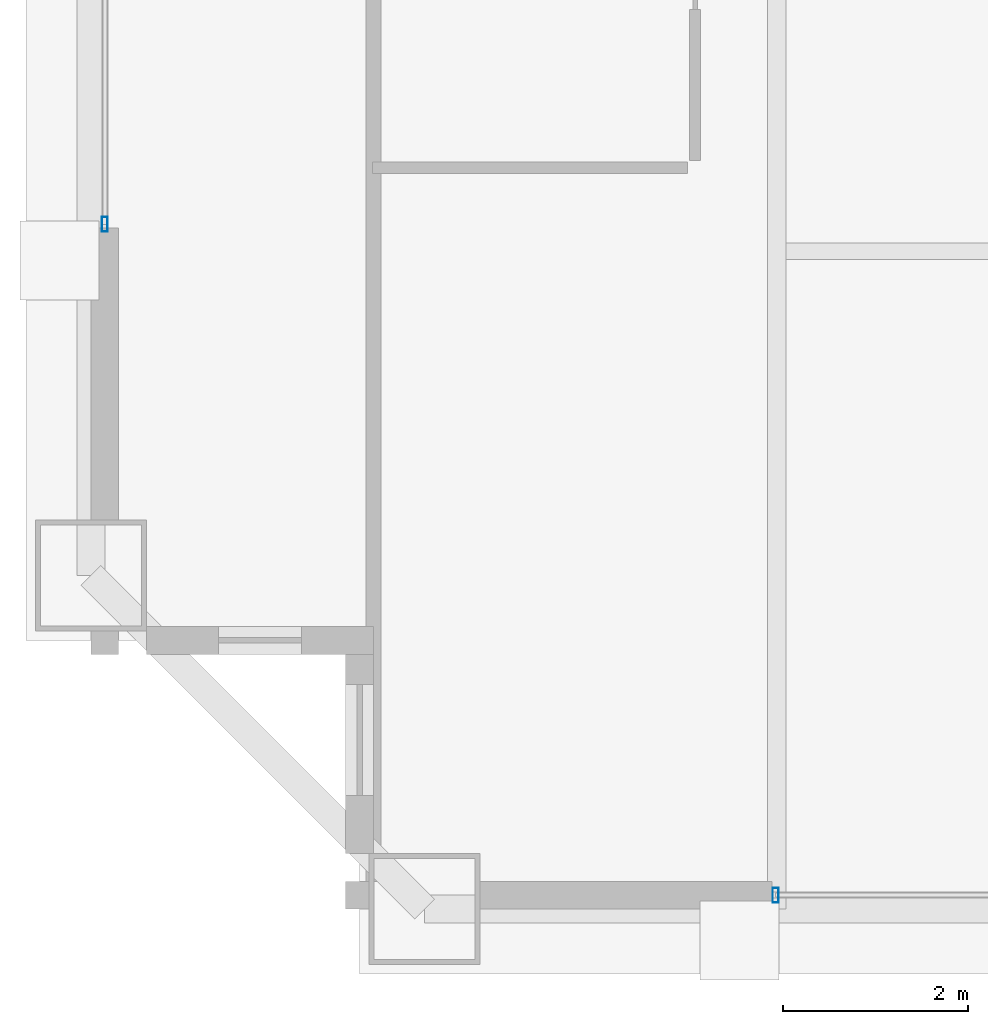
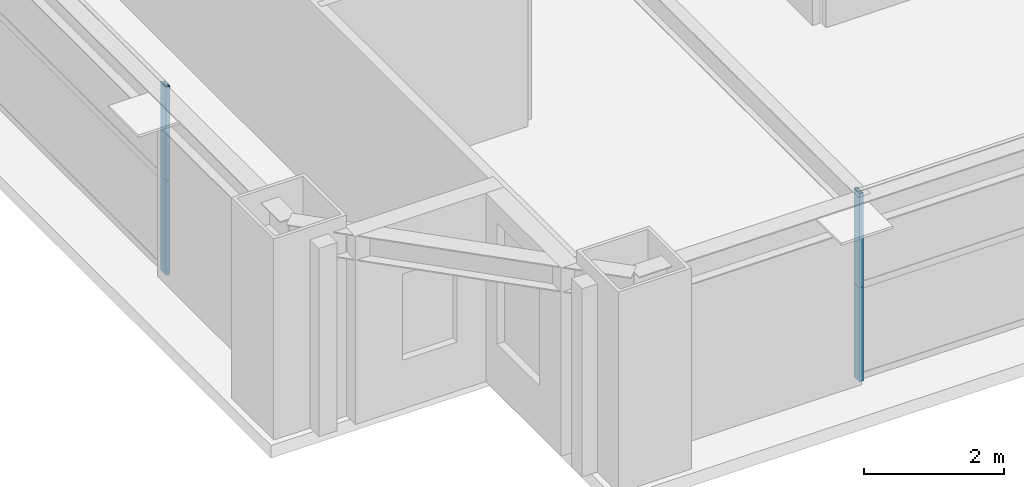
# One storey, part 3 of 36: 4 members, 2 elements without a shape of their own.
"""IFC4 building model written with IfcOpenShell, lengths in metres."""

from ifc_helpers import new_model, si_unit, direction, frame, origin, origin_2d, place, context, subcontext, project, spatial, hollow_rectangle, extrude, source, transform, mapped, material, layer, layer_set, material_profile, profile_set, type_object, element, aggregate, save


model = new_model("IFC4")

# Units and contexts
model_context = context("Model", 3, precision=1e-05, world=origin(), true_north=direction((0.0, 1.0)))
body_context = subcontext(model_context, "Body", "Model", "MODEL_VIEW")
ifc_project = project(units=[si_unit("LENGTHUNIT", "METRE"), si_unit("AREAUNIT", "SQUARE_METRE"), si_unit("VOLUMEUNIT", "CUBIC_METRE"), si_unit("PLANEANGLEUNIT", "RADIAN"), si_unit("MASSUNIT", "GRAM", prefix="KILO"), si_unit("THERMODYNAMICTEMPERATUREUNIT", "KELVIN"), si_unit("POWERUNIT", "WATT")], contexts=[model_context])

# Site, building, storey
site_placement = place(None, origin())
site = spatial("IfcSite", under=ifc_project, at=site_placement, CompositionType="ELEMENT")
building_placement = place(site_placement, origin())
building = spatial("IfcBuilding", under=site, at=building_placement, Name="Yuzanri Waterfront Tower", CompositionType="ELEMENT")
storey_placement = place(building_placement, frame((0.0, 0.0, 238.10009765625)))
storey = spatial("IfcBuildingStorey", under=building, at=storey_placement, Name="L63", CompositionType="ELEMENT", Elevation=238.10009765625)

# Curtain wall, members
ifc_material_1 = material(Name="Anodized Architectural Bronze", Category="metal")
ifc_layer = layer(ifc_material_1, 0.159912109375)
ifc_layer_set = layer_set([ifc_layer], Name="Anodized Architectural Bronze")
curtain_wall_type = type_object("IfcCurtainWallType", Name="Anodized Bronze Mid-Rise Residential Acoustic Unitized Curtain Wall 7200", PredefinedType="NOTDEFINED", material=ifc_layer_set)
curtain_wall_1_placement = place(storey_placement, origin())
curtain_wall_1 = element("IfcCurtainWall", 1, at=curtain_wall_1_placement, inside=storey, type_object=curtain_wall_type, Name="L63 Curtain Wall CW-L63-SL", PredefinedType="NOTDEFINED")
ifc_material_2 = material(Name="Anodized Architectural Bronze", Category="metal")
ifc_material_profile = material_profile(ifc_material_2, hollow_rectangle(XDim=0.06494140625, YDim=0.159912109375, WallThickness=0.00341796875, at=origin_2d()), Name="CWM 65x160")
ifc_profile_set = profile_set([ifc_material_profile], Name="Anodized Architectural Bronze")
member_type = type_object("IfcMemberType", Name="Anodized Bronze Upper-Zone Curtain-Wall Mullion 65x160", PredefinedType="MULLION", material=ifc_profile_set)
shared_shape = source(origin(), body_context, "Body", "SweptSolid", [
    extrude(hollow_rectangle(XDim=0.06494140625, YDim=0.159912109375, WallThickness=0.00341796875, at=origin_2d()), origin(), (0.0, 0.0, 1.0), 1.637939453125),
])
member_1_placement = place(storey_placement, frame((23.7900390625, 5.35009765625, 0.0), z_axis=(0.0, 0.0, 1.0), x_axis=(1.0, 0.0, 0.0)))
member_1 = element("IfcMember", 2, at=member_1_placement, type_object=member_type, Name="CW-L63-SL Lower Mullion 00", PredefinedType="MULLION", context=body_context, shape_type="MappedRepresentation", body=[
    mapped(shared_shape, transform((0.0, 0.0, 0.0), scale=1.0)),
])
member_2_placement = place(storey_placement, frame((23.7900390625, 5.35009765625, 1.641845703125), z_axis=(0.0, 0.0, 1.0), x_axis=(1.0, 0.0, 0.0)))
member_2 = element("IfcMember", 3, at=member_2_placement, type_object=member_type, Name="CW-L63-SL Upper Mullion 00", PredefinedType="MULLION", context=body_context, shape_type="MappedRepresentation", body=[
    mapped(shared_shape, transform((0.0, 0.0, 0.0), scale=1.0)),
])
aggregate(curtain_wall_1, [member_1, member_2])

curtain_wall_2_placement = place(storey_placement, origin())
curtain_wall_2 = element("IfcCurtainWall", 4, at=curtain_wall_2_placement, inside=storey, type_object=curtain_wall_type, Name="L63 Curtain Wall CW-L63-WL", PredefinedType="NOTDEFINED")
member_3_placement = place(storey_placement, frame((16.550048828125, 12.590087890625, 0.0), z_axis=(0.0, 0.0, 1.0), x_axis=(1.0, 0.0, 0.0)))
member_3 = element("IfcMember", 5, at=member_3_placement, type_object=member_type, Name="CW-L63-WL Lower Mullion 00", PredefinedType="MULLION", context=body_context, shape_type="MappedRepresentation", body=[
    mapped(shared_shape, transform((0.0, 0.0, 0.0), scale=1.0)),
])
member_4_placement = place(storey_placement, frame((16.550048828125, 12.590087890625, 1.641845703125), z_axis=(0.0, 0.0, 1.0), x_axis=(1.0, 0.0, 0.0)))
member_4 = element("IfcMember", 6, at=member_4_placement, type_object=member_type, Name="CW-L63-WL Upper Mullion 00", PredefinedType="MULLION", context=body_context, shape_type="MappedRepresentation", body=[
    mapped(shared_shape, transform((0.0, 0.0, 0.0), scale=1.0)),
])
aggregate(curtain_wall_2, [member_3, member_4])

save(model, "model.ifc")
